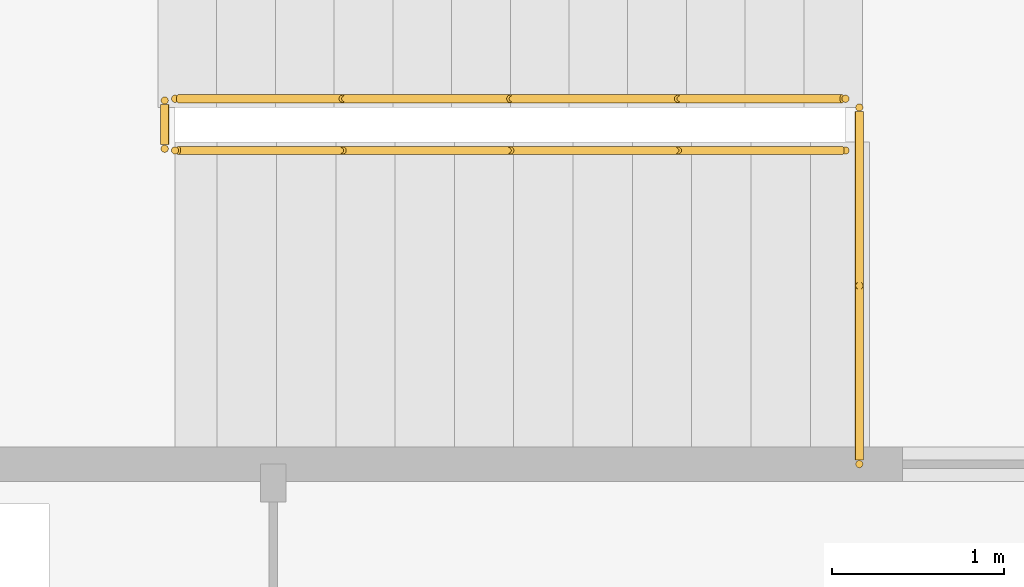
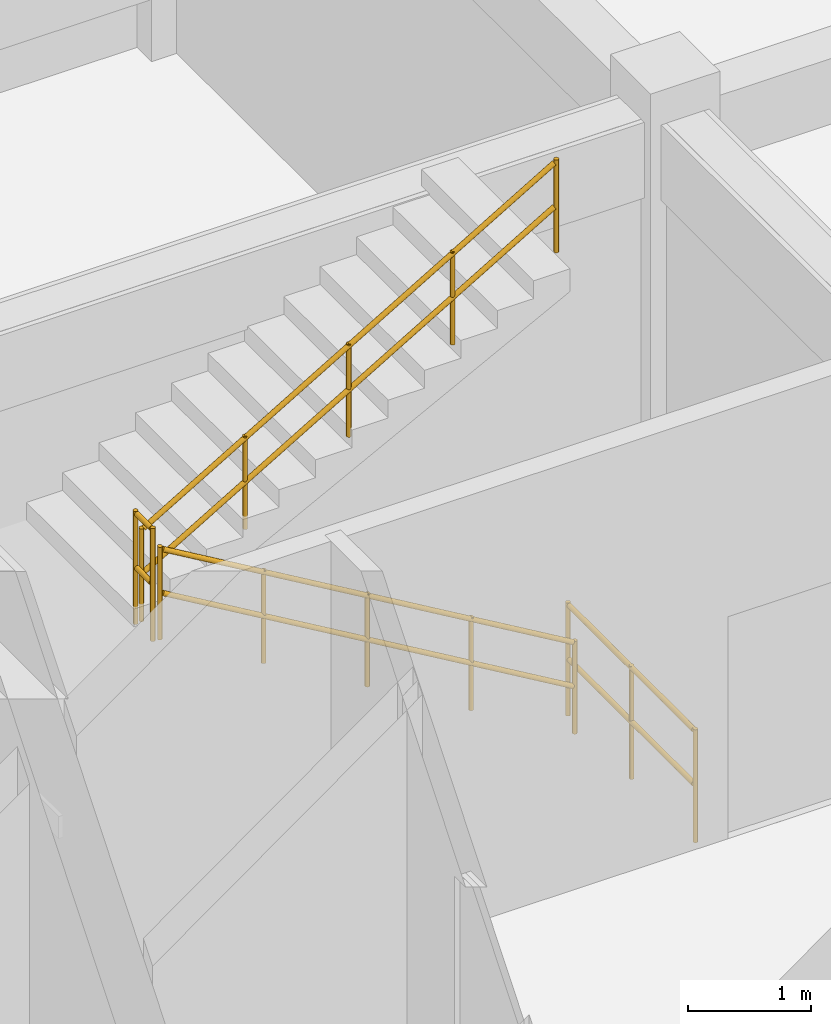
# One storey, part 89 of 93: 4 railings.
"""IFC4 building model written with IfcOpenShell, lengths in metres."""

from ifc_helpers import new_model, si_unit, direction, frame, origin, origin_2d, place, context, subcontext, project, spatial, circle, extrude, material, type_object, element, save


model = new_model("IFC4")

# Units and contexts
model_context = context("Model", 3, precision=1e-05, world=origin(), true_north=direction((0.0, 1.0)))
body_context = subcontext(model_context, "Body", "Model", "MODEL_VIEW")
ifc_project = project(units=[si_unit("LENGTHUNIT", "METRE"), si_unit("AREAUNIT", "SQUARE_METRE"), si_unit("VOLUMEUNIT", "CUBIC_METRE"), si_unit("PLANEANGLEUNIT", "RADIAN"), si_unit("MASSUNIT", "GRAM", prefix="KILO")], contexts=[model_context])

# Site, building, storey
site_placement = place(None, origin())
site = spatial("IfcSite", under=ifc_project, at=site_placement, CompositionType="ELEMENT")
building_placement = place(site_placement, origin())
building = spatial("IfcBuilding", under=site, at=building_placement, Name="Vaudrelin Polytechnic", CompositionType="ELEMENT")
storey_placement = place(building_placement, frame((0.0, 0.0, 5.10009765625)))
storey = spatial("IfcBuildingStorey", under=building, at=storey_placement, Name="L01", CompositionType="ELEMENT", Elevation=5.10009765625)

# Railings
ifc_material = material(Name="Brushed stainless steel AISI 304", Category="steel")
railing_type_1 = type_object("IfcRailingType", Name="RAL-GR-INT", PredefinedType="GUARDRAIL", material=ifc_material)
railing_1_placement = place(storey_placement, frame((119.47998046875, 109.409912109375, 0.0)))
element("IfcRailing", 1, at=railing_1_placement, inside=storey, type_object=railing_type_1, Name="ST-10-L00 upper well guardrail", PredefinedType="GUARDRAIL", context=body_context, shape_type="SweptSolid", body=[
    extrude(circle(Radius=0.02392578125, at=origin_2d()), frame((0.0, 0.023193359375, 1.09619140625), z_axis=(0.0, 1.0, 0.0), x_axis=(-1.0, 0.0, 0.0)), (0.0, 0.0, 1.0), 2.02392578125),
    extrude(circle(Radius=0.02392578125, at=origin_2d()), frame((0.0, 0.023193359375, 0.56005859375), z_axis=(0.0, 1.0, 0.0), x_axis=(-1.0, 0.0, 0.0)), (0.0, 0.0, 1.0), 2.02392578125),
    extrude(circle(Radius=0.02099609375, at=origin_2d()), origin(), (0.0, 0.0, 1.0), 1.1201171875),
    extrude(circle(Radius=0.02099609375, at=origin_2d()), frame((0.0, 1.03515625, 0.0)), (0.0, 0.0, 1.0), 1.1201171875),
    extrude(circle(Radius=0.02099609375, at=origin_2d()), frame((0.0, 2.070068359375, 0.0)), (0.0, 0.0, 1.0), 1.1201171875),
])
railing_2_placement = place(storey_placement, frame((115.449951171875, 111.239990234375, 2.294921875)))
element("IfcRailing", 2, at=railing_2_placement, inside=storey, type_object=railing_type_1, Name="ST-10-L01 landing well guardrail", PredefinedType="GUARDRAIL", context=body_context, shape_type="SweptSolid", body=[
    extrude(circle(Radius=0.02392578125, at=origin_2d()), frame((0.0, 0.023193359375, 1.09619140625), z_axis=(0.0, 1.0, 0.0), x_axis=(-1.0, 0.0, 0.0)), (0.0, 0.0, 1.0), 0.23388671875),
    extrude(circle(Radius=0.02392578125, at=origin_2d()), frame((0.0, 0.023193359375, 0.56005859375), z_axis=(0.0, 1.0, 0.0), x_axis=(-1.0, 0.0, 0.0)), (0.0, 0.0, 1.0), 0.23388671875),
    extrude(circle(Radius=0.02099609375, at=origin_2d()), origin(), (0.0, 0.0, 1.0), 1.1201171875),
    extrude(circle(Radius=0.02099609375, at=origin_2d()), frame((0.0, 0.280029296875, 0.0)), (0.0, 0.0, 1.0), 1.1201171875),
])
railing_type_2 = type_object("IfcRailingType", Name="RAL-HR-STR", PredefinedType="HANDRAIL", material=ifc_material)
railing_3_placement = place(storey_placement, frame((119.39990234375, 111.22998046875, 0.0)))
element("IfcRailing", 3, at=railing_3_placement, inside=storey, type_object=railing_type_2, Name="ST-10-L01 flight 1 handrail", PredefinedType="HANDRAIL", context=body_context, shape_type="SweptSolid", body=[
    extrude(circle(Radius=0.02392578125, at=origin_2d()), frame((-0.019775390625, 0.0, 0.90771484375), z_axis=(-0.861280376615, 0.0, 0.508130015702), x_axis=(0.0, -1.0, 0.0)), (0.0, 0.0, 1.0), 4.47021484375),
    extrude(circle(Radius=0.02392578125, at=origin_2d()), frame((-0.019775390625, 0.0, 0.4716796875), z_axis=(-0.861280376615, 0.0, 0.508130015702), x_axis=(0.0, -1.0, 0.0)), (0.0, 0.0, 1.0), 4.47021484375),
    extrude(circle(Radius=0.02099609375, at=origin_2d()), origin(), (0.0, 0.0, 1.0), 0.919921875),
    extrude(circle(Radius=0.02099609375, at=origin_2d()), frame((-0.972412109375, 0.0, 0.57373046875)), (0.0, 0.0, 1.0), 0.919921875),
    extrude(circle(Radius=0.02099609375, at=origin_2d()), frame((-1.94482421875, 0.0, 1.1474609375)), (0.0, 0.0, 1.0), 0.919921875),
    extrude(circle(Radius=0.02099609375, at=origin_2d()), frame((-2.91748046875, 0.0, 1.72119140625)), (0.0, 0.0, 1.0), 0.919921875),
    extrude(circle(Radius=0.02099609375, at=origin_2d()), frame((-3.889892578125, 0.0, 2.294921875)), (0.0, 0.0, 1.0), 0.919921875),
])
railing_4_placement = place(storey_placement, frame((115.510009765625, 111.530029296875, 2.294921875)))
element("IfcRailing", 4, at=railing_4_placement, inside=storey, type_object=railing_type_2, Name="ST-10-L01 flight 2 handrail", PredefinedType="HANDRAIL", context=body_context, shape_type="SweptSolid", body=[
    extrude(circle(Radius=0.02392578125, at=origin_2d()), frame((0.019775390625, 0.0, 0.90771484375), z_axis=(0.861280376615, 0.0, 0.508130015702), x_axis=(0.0, 1.0, 0.0)), (0.0, 0.0, 1.0), 4.47021484375),
    extrude(circle(Radius=0.02392578125, at=origin_2d()), frame((0.019775390625, 0.0, 0.4716796875), z_axis=(0.861280376615, 0.0, 0.508130015702), x_axis=(0.0, 1.0, 0.0)), (0.0, 0.0, 1.0), 4.47021484375),
    extrude(circle(Radius=0.02099609375, at=origin_2d()), origin(), (0.0, 0.0, 1.0), 0.919921875),
    extrude(circle(Radius=0.02099609375, at=origin_2d()), frame((0.972412109375, 0.0, 0.57373046875)), (0.0, 0.0, 1.0), 0.919921875),
    extrude(circle(Radius=0.02099609375, at=origin_2d()), frame((1.94482421875, 0.0, 1.1474609375)), (0.0, 0.0, 1.0), 0.919921875),
    extrude(circle(Radius=0.02099609375, at=origin_2d()), frame((2.91748046875, 0.0, 1.72119140625)), (0.0, 0.0, 1.0), 0.919921875),
    extrude(circle(Radius=0.02099609375, at=origin_2d()), frame((3.889892578125, 0.0, 2.294921875)), (0.0, 0.0, 1.0), 0.919921875),
])

save(model, "model.ifc")
